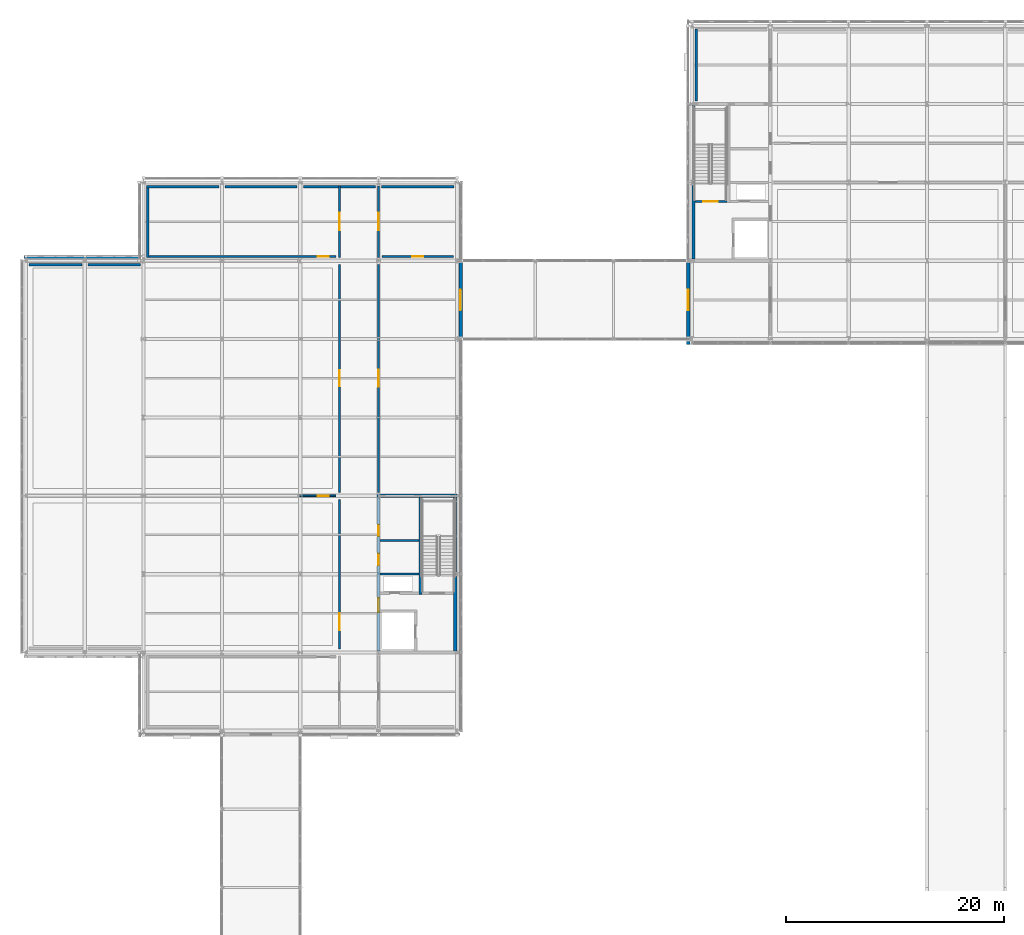
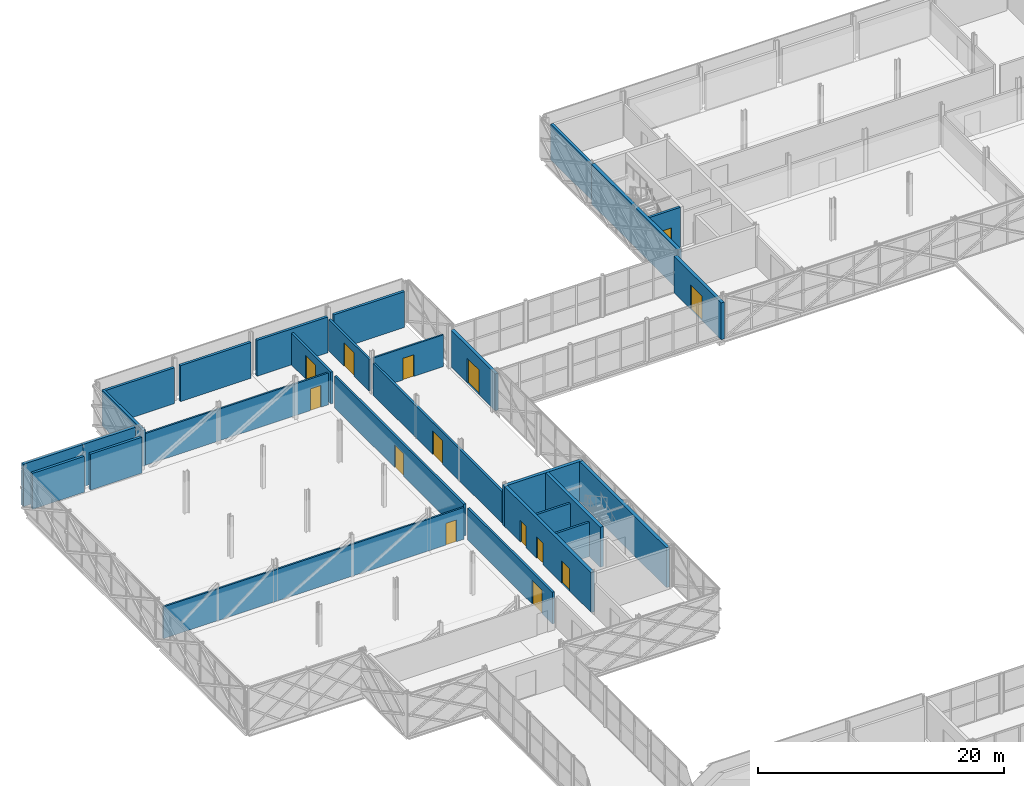
# One storey, part 105 of 126: 28 walls, 14 doors, 14 openings.
"""IFC4 building model written with IfcOpenShell, lengths in metres."""

from ifc_helpers import new_model, si_unit, direction, frame, frame_2d, origin, place, context, subcontext, project, spatial, rectangle, extrude, material, layer, layer_set, type_object, element, fill, save


model = new_model("IFC4")

# Units and contexts
model_context = context("Model", 3, precision=1e-05, world=origin(), true_north=direction((0.0, 1.0)))
body_context = subcontext(model_context, "Body", "Model", "MODEL_VIEW")
ifc_project = project(units=[si_unit("LENGTHUNIT", "METRE"), si_unit("AREAUNIT", "SQUARE_METRE"), si_unit("VOLUMEUNIT", "CUBIC_METRE"), si_unit("PLANEANGLEUNIT", "RADIAN"), si_unit("MASSUNIT", "GRAM", prefix="KILO")], contexts=[model_context])

# Site, building, storey
site_placement = place(None, origin())
site = spatial("IfcSite", under=ifc_project, at=site_placement, CompositionType="ELEMENT")
building_placement = place(site_placement, origin())
building = spatial("IfcBuilding", under=site, at=building_placement, Name="Zlatovets Crest Museum", CompositionType="ELEMENT")
storey_placement = place(building_placement, frame((0.0, 0.0, 8.699951171875)))
storey = spatial("IfcBuildingStorey", under=building, at=storey_placement, Name="L02", CompositionType="ELEMENT", Elevation=8.699951171875)

# Walls
ifc_material_1 = material(Name="Concrete C35/45", Category="concrete")
ifc_layer_1 = layer(ifc_material_1, 0.300048828125)
ifc_layer_set_1 = layer_set([ifc_layer_1], Name="Concrete C35/45")
wall_type_1 = type_object("IfcWallType", Name="CoreWall_SW01", PredefinedType="SHEAR", material=ifc_layer_set_1)
wall_1_placement = place(storey_placement, frame((57.75, 93.75, 0.0), z_axis=(0.0, 0.0, 1.0), x_axis=(0.0, 1.0, 0.0)))
element("IfcWall", 1, at=wall_1_placement, inside=storey, type_object=wall_type_1, Name="Core C1 L02 Perimeter Shear Wall", PredefinedType="SHEAR", context=body_context, shape_type="SweptSolid", body=[
    extrude(rectangle(XDim=14.10009765625, YDim=0.300048828125, at=frame_2d((7.050048828125, 0.0))), origin(), (0.0, 0.0, 1.0), 3.9599609375),
])
wall_2_placement = place(storey_placement, frame((28.64990234375, 72.0, 0.0), z_axis=(0.0, 0.0, 1.0), x_axis=(1.0, 0.0, 0.0)))
element("IfcWall", 2, at=wall_2_placement, inside=storey, type_object=wall_type_1, Name="Core C4 L02 North Shear Wall", PredefinedType="SHEAR", context=body_context, shape_type="SweptSolid", body=[
    extrude(rectangle(XDim=7.35009765625, YDim=0.300048828125, at=frame_2d((3.675048828125, 0.0))), origin(), (0.0, 0.0, 1.0), 3.9599609375),
])
wall_3_placement = place(storey_placement, frame((35.85009765625, 57.75, 0.0), z_axis=(0.0, 0.0, 1.0), x_axis=(0.0, 1.0, 0.0)))
element("IfcWall", 3, at=wall_3_placement, inside=storey, type_object=wall_type_1, Name="Core C4 L02 Perimeter Shear Wall", PredefinedType="SHEAR", context=body_context, shape_type="SweptSolid", body=[
    extrude(rectangle(XDim=14.10009765625, YDim=0.300048828125, at=frame_2d((7.050048828125, 0.0))), origin(), (0.0, 0.0, 1.0), 3.9599609375),
])

# Wall, openings, doors
wall_4_placement = place(storey_placement, frame((28.800048828125, 57.75, 0.0), z_axis=(0.0, 0.0, 1.0), x_axis=(0.0, 1.0, 0.0)))
wall_4 = element("IfcWall", 4, at=wall_4_placement, inside=storey, type_object=wall_type_1, Name="Core C4 L02 Spine Shear Wall", PredefinedType="SHEAR", context=body_context, shape_type="SweptSolid", body=[
    extrude(rectangle(XDim=14.10009765625, YDim=0.300048828125, at=frame_2d((7.050048828125, 0.0))), origin(), (0.0, 0.0, 1.0), 3.9599609375),
])
opening_1_placement = place(wall_4_placement, frame((3.550048828125, 0.0, 0.0)))
opening_1 = element("IfcOpeningElement", 5, at=opening_1_placement, cuts=wall_4, Name="Opening FD-01", PredefinedType="OPENING", context=body_context, shape_type="SweptSolid", body=[
    extrude(rectangle(XDim=1.300048828125, YDim=2.199951171875, at=frame_2d((0.64990234375, 1.10009765625))), frame((0.0, 0.16015625, 0.0), z_axis=(0.0, -1.0, 0.0), x_axis=(1.0, 0.0, 0.0)), (0.0, 0.0, 1.0), 0.320068359375),
])
opening_2_placement = place(wall_4_placement, frame((7.85009765625, 0.0, 0.0)))
opening_2 = element("IfcOpeningElement", 6, at=opening_2_placement, cuts=wall_4, Name="Opening ID-02", PredefinedType="OPENING", context=body_context, shape_type="SweptSolid", body=[
    extrude(rectangle(XDim=1.050048828125, YDim=2.14990234375, at=frame_2d((0.52490234375, 1.074951171875))), frame((0.0, 0.16015625, 0.0), z_axis=(0.0, -1.0, 0.0), x_axis=(1.0, 0.0, 0.0)), (0.0, 0.0, 1.0), 0.320068359375),
])
opening_3_placement = place(wall_4_placement, frame((10.550048828125, 0.0, 0.0)))
opening_3 = element("IfcOpeningElement", 7, at=opening_3_placement, cuts=wall_4, Name="Opening ID-01", PredefinedType="OPENING", context=body_context, shape_type="SweptSolid", body=[
    extrude(rectangle(XDim=1.0, YDim=2.14990234375, at=frame_2d((0.5, 1.074951171875))), frame((0.0, 0.16015625, 0.0), z_axis=(0.0, -1.0, 0.0), x_axis=(1.0, 0.0, 0.0)), (0.0, 0.0, 1.0), 0.320068359375),
])
ifc_material_2 = material(Name="Smoke-sealed steel fire door", Category="steel")
door_type_1 = type_object("IfcDoorType", Name="IntDoor_FD-01", OperationType="NOTDEFINED", PredefinedType="DOOR", material=ifc_material_2)
door_1_placement = place(opening_1_placement, origin())
door_1 = element("IfcDoor", 8, at=door_1_placement, inside=storey, type_object=door_type_1, Name="CDOOR-C4-L02-LOB Core C4 L02 Lobby Fire Door", OperationType="SINGLE_SWING_RIGHT", OverallHeight=2.199951171875, OverallWidth=1.300048828125, PredefinedType="DOOR", context=body_context, shape_type="SweptSolid", body=[
    extrude(rectangle(XDim=1.300048828125, YDim=2.199951171875, at=frame_2d((0.64990234375, 1.10009765625))), frame((0.0, 0.02490234375, 0.0), z_axis=(0.0, -1.0, 0.0), x_axis=(1.0, 0.0, 0.0)), (0.0, 0.0, 1.0), 0.050048828125),
])
fill(opening_1, door_1)
ifc_material_3 = material(Name="Solid oak museum room door")
door_type_2 = type_object("IfcDoorType", Name="IntDoor_ID-01", OperationType="NOTDEFINED", PredefinedType="DOOR", material=ifc_material_3)
door_2_placement = place(opening_3_placement, origin())
door_2 = element("IfcDoor", 9, at=door_2_placement, inside=storey, type_object=door_type_2, Name="CDOOR-C4-L02-WC Core C4 L02 Public Restroom Door", OperationType="SINGLE_SWING_RIGHT", OverallHeight=2.14990234375, OverallWidth=1.0, PredefinedType="DOOR", context=body_context, shape_type="SweptSolid", body=[
    extrude(rectangle(XDim=1.0, YDim=2.14990234375, at=frame_2d((0.5, 1.074951171875))), frame((0.0, 0.02490234375, 0.0), z_axis=(0.0, -1.0, 0.0), x_axis=(1.0, 0.0, 0.0)), (0.0, 0.0, 1.0), 0.050048828125),
])
fill(opening_3, door_2)
ifc_material_4 = material(Name="Accessible sanitary room door")
door_type_3 = type_object("IfcDoorType", Name="IntDoor_ID-02", OperationType="NOTDEFINED", PredefinedType="DOOR", material=ifc_material_4)
door_3_placement = place(opening_2_placement, origin())
door_3 = element("IfcDoor", 10, at=door_3_placement, inside=storey, type_object=door_type_3, Name="CDOOR-C4-L02-AWC Core C4 L02 Accessible WC Door", OperationType="SINGLE_SWING_LEFT", OverallHeight=2.14990234375, OverallWidth=1.050048828125, PredefinedType="DOOR", context=body_context, shape_type="SweptSolid", body=[
    extrude(rectangle(XDim=1.050048828125, YDim=2.14990234375, at=frame_2d((0.52490234375, 1.074951171875))), frame((0.0, 0.02490234375, 0.0), z_axis=(0.0, -1.0, 0.0), x_axis=(1.0, 0.0, 0.0)), (0.0, 0.0, 1.0), 0.050048828125),
])
fill(opening_2, door_3)

# Wall
wall_5_placement = place(storey_placement, frame((32.64990234375, 62.93994140625, 0.0), z_axis=(0.0, 0.0, 1.0), x_axis=(0.0, 1.0, 0.0)))
element("IfcWall", 11, at=wall_5_placement, inside=storey, type_object=wall_type_1, Name="Core C4 L02 Stair Divider Wall", PredefinedType="SHEAR", context=body_context, shape_type="SweptSolid", body=[
    extrude(rectangle(XDim=8.91015625, YDim=0.300048828125, at=frame_2d((4.455078125, 0.0))), origin(), (0.0, 0.0, 1.0), 3.9599609375),
])

# Wall, opening, door
ifc_layer_2 = layer(ifc_material_1, 0.25)
ifc_layer_set_2 = layer_set([ifc_layer_2], Name="Concrete C35/45")
wall_type_2 = type_object("IfcWallType", Name="CoreWall_SW02", PredefinedType="SHEAR", material=ifc_layer_set_2)
wall_6_placement = place(storey_placement, frame((57.89990234375, 99.050048828125, 0.0), z_axis=(0.0, 0.0, 1.0), x_axis=(1.0, 0.0, 0.0)))
wall_6 = element("IfcWall", 12, at=wall_6_placement, inside=storey, type_object=wall_type_2, Name="Core C1 L02 Stairwell Fire Wall", PredefinedType="SHEAR", context=body_context, shape_type="SweptSolid", body=[
    extrude(rectangle(XDim=2.900146484375, YDim=0.219970703125, at=frame_2d((1.4501953125, 0.0))), origin(), (0.0, 0.0, 1.0), 3.9599609375),
])
opening_4_placement = place(wall_6_placement, frame((0.75, 0.0, 0.0)))
opening_4 = element("IfcOpeningElement", 13, at=opening_4_placement, cuts=wall_6, Name="Opening FD-01", PredefinedType="OPENING", context=body_context, shape_type="SweptSolid", body=[
    extrude(rectangle(XDim=1.300048828125, YDim=2.199951171875, at=frame_2d((0.64990234375, 1.10009765625))), frame((0.0, 0.1201171875, 0.0), z_axis=(0.0, -1.0, 0.0), x_axis=(1.0, 0.0, 0.0)), (0.0, 0.0, 1.0), 0.239990234375),
])
door_4_placement = place(opening_4_placement, origin())
door_4 = element("IfcDoor", 14, at=door_4_placement, inside=storey, type_object=door_type_1, Name="SDOOR-ST1-L02 Stair ST1 L02 Fire Door", OperationType="SINGLE_SWING_LEFT", OverallHeight=2.199951171875, OverallWidth=1.300048828125, PredefinedType="DOOR", context=body_context, shape_type="SweptSolid", body=[
    extrude(rectangle(XDim=1.300048828125, YDim=2.199951171875, at=frame_2d((0.64990234375, 1.10009765625))), frame((0.0, 0.02490234375, 0.0), z_axis=(0.0, -1.0, 0.0), x_axis=(1.0, 0.0, 0.0)), (0.0, 0.0, 1.0), 0.050048828125),
])
fill(opening_4, door_4)

# Wall
ifc_material_5 = material(Name="Insulated gallery conservation liner wall", Category="concrete")
ifc_layer_3 = layer(ifc_material_5, 0.300048828125)
ifc_layer_set_3 = layer_set([ifc_layer_3], Name="Insulated gallery conservation liner wall")
wall_type_3 = type_object("IfcWallType", Name="ExtWall_EW-02", PredefinedType="STANDARD", material=ifc_layer_set_3)
wall_7_placement = place(storey_placement, frame((57.97998046875, 114.919921875, 0.0), z_axis=(0.0, 0.0, 1.0), x_axis=(0.0, -1.0, 0.0)))
element("IfcWall", 15, at=wall_7_placement, inside=storey, type_object=wall_type_3, Name="V1 L02 Interior Conservation Gallery Liner Wall", PredefinedType="STANDARD", context=body_context, shape_type="SweptSolid", body=[
    extrude(rectangle(XDim=6.639892578125, YDim=0.239990234375, at=frame_2d((3.31982421875, 0.0))), origin(), (0.0, 0.0, 1.0), 3.56005859375),
])

# Wall, opening, door
wall_8_placement = place(storey_placement, frame((57.260009765625, 93.60009765625, 0.0), z_axis=(0.0, 0.0, 1.0), x_axis=(0.0, -1.0, 0.0)))
wall_8 = element("IfcWall", 16, at=wall_8_placement, inside=storey, type_object=wall_type_3, Name="V1 L02 Bridge Portal Wall", PredefinedType="STANDARD", context=body_context, shape_type="SweptSolid", body=[
    extrude(rectangle(XDim=7.68017578125, YDim=0.300048828125, at=frame_2d((3.840087890625, 0.0))), origin(), (0.0, 0.0, 1.0), 3.650146484375),
])
opening_5_placement = place(wall_8_placement, frame((2.64990234375, 0.0, 0.0)))
opening_5 = element("IfcOpeningElement", 17, at=opening_5_placement, cuts=wall_8, Name="Opening ED-02", PredefinedType="OPENING", context=body_context, shape_type="SweptSolid", body=[
    extrude(rectangle(XDim=1.89990234375, YDim=2.449951171875, at=frame_2d((0.949951171875, 1.22509765625))), frame((0.0, 0.16015625, 0.0), z_axis=(0.0, -1.0, 0.0), x_axis=(1.0, 0.0, 0.0)), (0.0, 0.0, 1.0), 0.320068359375),
])
ifc_material_6 = material(Name="Bronze-clad insulated steel door", Category="steel")
door_type_4 = type_object("IfcDoorType", Name="ExtDoor_ED-02", OperationType="NOTDEFINED", PredefinedType="DOOR", material=ifc_material_6)
door_5_placement = place(opening_5_placement, origin())
door_5 = element("IfcDoor", 18, at=door_5_placement, inside=storey, type_object=door_type_4, Name="ED-V1-L02-BR008 V1 L02 Bridge Link Portal Door", OperationType="DOUBLE_DOOR_SINGLE_SWING", OverallHeight=2.449951171875, OverallWidth=1.89990234375, PredefinedType="DOOR", context=body_context, shape_type="SweptSolid", body=[
    extrude(rectangle(XDim=1.89990234375, YDim=2.449951171875, at=frame_2d((0.949951171875, 1.22509765625))), frame((0.0, 0.02490234375, 0.0), z_axis=(0.0, -1.0, 0.0), x_axis=(1.0, 0.0, 0.0)), (0.0, 0.0, 1.0), 0.050048828125),
])
fill(opening_5, door_5)

wall_9_placement = place(storey_placement, frame((36.340087890625, 86.39990234375, 0.0), z_axis=(0.0, 0.0, 1.0), x_axis=(0.0, 1.0, 0.0)))
wall_9 = element("IfcWall", 19, at=wall_9_placement, inside=storey, type_object=wall_type_3, Name="V4 L02 Bridge Portal Wall", PredefinedType="STANDARD", context=body_context, shape_type="SweptSolid", body=[
    extrude(rectangle(XDim=7.2001953125, YDim=0.300048828125, at=frame_2d((3.60009765625, 0.0))), origin(), (0.0, 0.0, 1.0), 3.650146484375),
])
opening_6_placement = place(wall_9_placement, frame((2.64990234375, 0.0, 0.0)))
opening_6 = element("IfcOpeningElement", 20, at=opening_6_placement, cuts=wall_9, Name="Opening ED-02", PredefinedType="OPENING", context=body_context, shape_type="SweptSolid", body=[
    extrude(rectangle(XDim=1.89990234375, YDim=2.449951171875, at=frame_2d((0.949951171875, 1.22509765625))), frame((0.0, 0.16015625, 0.0), z_axis=(0.0, -1.0, 0.0), x_axis=(1.0, 0.0, 0.0)), (0.0, 0.0, 1.0), 0.320068359375),
])
door_6_placement = place(opening_6_placement, origin())
door_6 = element("IfcDoor", 21, at=door_6_placement, inside=storey, type_object=door_type_4, Name="ED-V4-L02-BR040 V4 L02 Bridge Link Portal Door", OperationType="DOUBLE_DOOR_SINGLE_SWING", OverallHeight=2.449951171875, OverallWidth=1.89990234375, PredefinedType="DOOR", context=body_context, shape_type="SweptSolid", body=[
    extrude(rectangle(XDim=1.89990234375, YDim=2.449951171875, at=frame_2d((0.949951171875, 1.22509765625))), frame((0.0, 0.02490234375, 0.0), z_axis=(0.0, -1.0, 0.0), x_axis=(1.0, 0.0, 0.0)), (0.0, 0.0, 1.0), 0.050048828125),
])
fill(opening_6, door_6)

# Walls
for number, where, z_axis, x_axis, name in (
    (22, (14.1201171875, 100.419921875, 0.0), (0.0, 0.0, 1.0), (-1.0, 0.0, 0.0), "V4 L02 Interior Conservation Gallery Liner Wall"),
    (23, (21.320068359375, 100.419921875, 0.0), (0.0, 0.0, 1.0), (-1.0, 0.0, 0.0), "V4 L02 Interior Conservation Gallery Liner Wall"),
    (24, (28.52001953125, 100.419921875, 0.0), (0.0, 0.0, 1.0), (-1.0, 0.0, 0.0), "V4 L02 Interior Conservation Gallery Liner Wall"),
):
    element("IfcWall", number, at=place(storey_placement, frame(where, z_axis=z_axis, x_axis=x_axis)), inside=storey, type_object=wall_type_3, Name=name, PredefinedType="STANDARD", context=body_context, shape_type="SweptSolid", body=[
        extrude(rectangle(XDim=6.64013671875, YDim=0.239990234375, at=frame_2d((3.320068359375, 0.0))), origin(), (0.0, 0.0, 1.0), 3.56005859375),
    ])
wall_10_placement = place(storey_placement, frame((35.719970703125, 100.419921875, 0.0), z_axis=(0.0, 0.0, 1.0), x_axis=(-1.0, 0.0, 0.0)))
element("IfcWall", 25, at=wall_10_placement, inside=storey, type_object=wall_type_3, Name="V4 L02 Interior Conservation Gallery Liner Wall", PredefinedType="STANDARD", context=body_context, shape_type="SweptSolid", body=[
    extrude(rectangle(XDim=6.639892578125, YDim=0.239990234375, at=frame_2d((3.31982421875, 0.0))), origin(), (0.0, 0.0, 1.0), 3.56005859375),
])
wall_11_placement = place(storey_placement, frame((7.580078125, 100.52001953125, 0.0), z_axis=(0.0, 0.0, 1.0), x_axis=(0.0, -1.0, 0.0)))
element("IfcWall", 26, at=wall_11_placement, inside=storey, type_object=wall_type_3, Name="V4 L02 Interior Conservation Gallery Liner Wall", PredefinedType="STANDARD", context=body_context, shape_type="SweptSolid", body=[
    extrude(rectangle(XDim=6.64013671875, YDim=0.239990234375, at=frame_2d((3.320068359375, 0.0))), origin(), (0.0, 0.0, 1.0), 3.56005859375),
])
wall_12_placement = place(storey_placement, frame((6.919921875, 93.219970703125, 0.0), z_axis=(0.0, 0.0, 1.0), x_axis=(-1.0, 0.0, 0.0)))
element("IfcWall", 27, at=wall_12_placement, inside=storey, type_object=wall_type_3, Name="V4 L02 Interior Conservation Gallery Liner Wall", PredefinedType="STANDARD", context=body_context, shape_type="SweptSolid", body=[
    extrude(rectangle(XDim=4.83984375, YDim=0.239990234375, at=frame_2d((2.419921875, 0.0))), origin(), (0.0, 0.0, 1.0), 3.56005859375),
])
wall_13_placement = place(storey_placement, frame((1.52001953125, 93.219970703125, 0.0), z_axis=(0.0, 0.0, 1.0), x_axis=(-1.0, 0.0, 0.0)))
element("IfcWall", 28, at=wall_13_placement, inside=storey, type_object=wall_type_3, Name="V4 L02 Interior Conservation Gallery Liner Wall", PredefinedType="STANDARD", context=body_context, shape_type="SweptSolid", body=[
    extrude(rectangle(XDim=4.840087890625, YDim=0.239990234375, at=frame_2d((2.419921875, 0.0))), origin(), (0.0, 0.0, 1.0), 3.56005859375),
])
ifc_material_7 = material(Name="Polychrome majolica ceramic spandrel wall", Category="masonry")
ifc_layer_4 = layer(ifc_material_7, 0.280029296875)
ifc_layer_set_4 = layer_set([ifc_layer_4], Name="Polychrome majolica ceramic spandrel wall")
wall_type_4 = type_object("IfcWallType", Name="ExtWall_EW-03", PredefinedType="STANDARD", material=ifc_layer_set_4)
wall_14_placement = place(storey_placement, frame((6.719970703125, 93.93994140625, 0.0), z_axis=(0.0, 0.0, 1.0), x_axis=(-1.0, 0.0, 0.0)))
element("IfcWall", 29, at=wall_14_placement, inside=storey, type_object=wall_type_4, Name="V4 L02 Transfer Truss Majolica Spandrel Wall", PredefinedType="STANDARD", context=body_context, shape_type="SweptSolid", body=[
    extrude(rectangle(XDim=4.919921875, YDim=0.280029296875, at=frame_2d((2.4599609375, 0.0))), origin(), (0.0, 0.0, 1.0), 4.199951171875),
])
wall_15_placement = place(storey_placement, frame((1.800048828125, 93.93994140625, 0.0), z_axis=(0.0, 0.0, 1.0), x_axis=(-1.0, 0.0, 0.0)))
element("IfcWall", 30, at=wall_15_placement, inside=storey, type_object=wall_type_4, Name="V4 L02 Transfer Truss Majolica Spandrel Wall", PredefinedType="STANDARD", context=body_context, shape_type="SweptSolid", body=[
    extrude(rectangle(XDim=5.60009765625, YDim=0.280029296875, at=frame_2d((2.800048828125, 0.0))), origin(), (0.0, 0.0, 1.0), 4.199951171875),
])

# Wall, opening, door
ifc_material_8 = material(Name="Gypsum-encased fire compartment partition")
ifc_layer_5 = layer(ifc_material_8, 0.199951171875)
ifc_layer_set_5 = layer_set([ifc_layer_5], Name="Gypsum-encased fire compartment partition")
wall_type_5 = type_object("IfcWallType", Name="PartWall_PT-01", PredefinedType="PARTITIONING", material=ifc_layer_set_5)
wall_16_placement = place(storey_placement, frame((25.199951171875, 57.919921875, 0.0), z_axis=(0.0, 0.0, 1.0), x_axis=(0.0, 1.0, 0.0)))
wall_16 = element("IfcWall", 31, at=wall_16_placement, inside=storey, type_object=wall_type_5, Name="V4 L02 Interior Partition PT-01", PredefinedType="PARTITIONING", context=body_context, shape_type="SweptSolid", body=[
    extrude(rectangle(XDim=13.760009765625, YDim=0.199951171875, at=frame_2d((6.8798828125, 0.0))), origin(), (0.0, 0.0, 1.0), 3.150146484375),
])
opening_7_placement = place(wall_16_placement, frame((1.701904296875, 0.0, 0.0)))
opening_7 = element("IfcOpeningElement", 32, at=opening_7_placement, cuts=wall_16, Name="Opening ID-04", PredefinedType="OPENING", context=body_context, shape_type="SweptSolid", body=[
    extrude(rectangle(XDim=1.60009765625, YDim=2.35009765625, at=frame_2d((0.800048828125, 1.175048828125))), frame((0.0, 0.10986328125, 0.0), z_axis=(0.0, -1.0, 0.0), x_axis=(1.0, 0.0, 0.0)), (0.0, 0.0, 1.0), 0.219970703125),
])
ifc_material_9 = material(Name="Gallery salon double portal door")
door_type_5 = type_object("IfcDoorType", Name="IntDoor_ID-04", OperationType="DOUBLE_DOOR_SINGLE_SWING", PredefinedType="DOOR", material=ifc_material_9)
door_7_placement = place(opening_7_placement, origin())
door_7 = element("IfcDoor", 33, at=door_7_placement, inside=storey, type_object=door_type_5, Name="IDOOR-V4-L02-0167 West Wing Concourse L02 to Symbolist Painting South Cantilever Gallery Door", OperationType="DOUBLE_DOOR_SINGLE_SWING", OverallHeight=2.35009765625, OverallWidth=1.60009765625, PredefinedType="DOOR", context=body_context, shape_type="SweptSolid", body=[
    extrude(rectangle(XDim=1.60009765625, YDim=2.35009765625, at=frame_2d((0.800048828125, 1.175048828125))), frame((0.0, 0.02490234375, 0.0), z_axis=(0.0, -1.0, 0.0), x_axis=(1.0, 0.0, 0.0)), (0.0, 0.0, 1.0), 0.050048828125),
])
fill(opening_7, door_7)

wall_17_placement = place(storey_placement, frame((25.199951171875, 72.320068359375, 0.0), z_axis=(0.0, 0.0, 1.0), x_axis=(0.0, 1.0, 0.0)))
wall_17 = element("IfcWall", 34, at=wall_17_placement, inside=storey, type_object=wall_type_5, Name="V4 L02 Interior Partition PT-01", PredefinedType="PARTITIONING", context=body_context, shape_type="SweptSolid", body=[
    extrude(rectangle(XDim=20.9599609375, YDim=0.199951171875, at=frame_2d((10.47998046875, 0.0))), origin(), (0.0, 0.0, 1.0), 3.150146484375),
])
opening_8_placement = place(wall_17_placement, frame((9.72998046875, 0.0, 0.0)))
opening_8 = element("IfcOpeningElement", 35, at=opening_8_placement, cuts=wall_17, Name="Opening FD-02", PredefinedType="OPENING", context=body_context, shape_type="SweptSolid", body=[
    extrude(rectangle(XDim=1.5, YDim=2.25, at=frame_2d((0.75, 1.125))), frame((0.0, 0.10986328125, 0.0), z_axis=(0.0, -1.0, 0.0), x_axis=(1.0, 0.0, 0.0)), (0.0, 0.0, 1.0), 0.219970703125),
])
ifc_material_10 = material(Name="Double corridor compartment fire door")
door_type_6 = type_object("IfcDoorType", Name="IntDoor_FD-02", OperationType="DOUBLE_DOOR_SINGLE_SWING", PredefinedType="DOOR", material=ifc_material_10)
door_8_placement = place(opening_8_placement, origin())
door_8 = element("IfcDoor", 36, at=door_8_placement, inside=storey, type_object=door_type_6, Name="IDOOR-V4-L02-0168 West Wing Concourse L02 to Symbolist Painting North Cantilever Gallery Door", OperationType="DOUBLE_DOOR_SINGLE_SWING", OverallHeight=2.25, OverallWidth=1.5, PredefinedType="DOOR", context=body_context, shape_type="SweptSolid", body=[
    extrude(rectangle(XDim=1.5, YDim=2.25, at=frame_2d((0.75, 1.125))), frame((0.0, 0.02490234375, 0.0), z_axis=(0.0, -1.0, 0.0), x_axis=(1.0, 0.0, 0.0)), (0.0, 0.0, 1.0), 0.050048828125),
])
fill(opening_8, door_8)

wall_18_placement = place(storey_placement, frame((25.199951171875, 93.919921875, 0.0), z_axis=(0.0, 0.0, 1.0), x_axis=(0.0, 1.0, 0.0)))
wall_18 = element("IfcWall", 37, at=wall_18_placement, inside=storey, type_object=wall_type_5, Name="V4 L02 Interior Partition PT-01", PredefinedType="PARTITIONING", context=body_context, shape_type="SweptSolid", body=[
    extrude(rectangle(XDim=6.56005859375, YDim=0.199951171875, at=frame_2d((3.280029296875, 0.0))), origin(), (0.0, 0.0, 1.0), 3.150146484375),
])
opening_9_placement = place(wall_18_placement, frame((2.47998046875, 0.0, 0.0)))
opening_9 = element("IfcOpeningElement", 38, at=opening_9_placement, cuts=wall_18, Name="Opening ID-04", PredefinedType="OPENING", context=body_context, shape_type="SweptSolid", body=[
    extrude(rectangle(XDim=1.60009765625, YDim=2.35009765625, at=frame_2d((0.800048828125, 1.175048828125))), frame((0.0, 0.10986328125, 0.0), z_axis=(0.0, -1.0, 0.0), x_axis=(1.0, 0.0, 0.0)), (0.0, 0.0, 1.0), 0.219970703125),
])
door_9_placement = place(opening_9_placement, origin())
door_9 = element("IfcDoor", 39, at=door_9_placement, inside=storey, type_object=door_type_5, Name="IDOOR-V4-L02-0169 West Wing Concourse L02 to Costume and Lacework Salon Door", OperationType="DOUBLE_DOOR_SINGLE_SWING", OverallHeight=2.35009765625, OverallWidth=1.60009765625, PredefinedType="DOOR", context=body_context, shape_type="SweptSolid", body=[
    extrude(rectangle(XDim=1.60009765625, YDim=2.35009765625, at=frame_2d((0.800048828125, 1.175048828125))), frame((0.0, 0.02490234375, 0.0), z_axis=(0.0, -1.0, 0.0), x_axis=(1.0, 0.0, 0.0)), (0.0, 0.0, 1.0), 0.050048828125),
])
fill(opening_9, door_9)

wall_19_placement = place(storey_placement, frame((28.800048828125, 72.320068359375, 0.0), z_axis=(0.0, 0.0, 1.0), x_axis=(0.0, 1.0, 0.0)))
wall_19 = element("IfcWall", 40, at=wall_19_placement, inside=storey, type_object=wall_type_5, Name="V4 L02 Interior Partition PT-01", PredefinedType="PARTITIONING", context=body_context, shape_type="SweptSolid", body=[
    extrude(rectangle(XDim=20.9599609375, YDim=0.199951171875, at=frame_2d((10.47998046875, 0.0))), origin(), (0.0, 0.0, 1.0), 3.150146484375),
])
opening_10_placement = place(wall_19_placement, frame((9.679931640625, 0.0, 0.0)))
opening_10 = element("IfcOpeningElement", 41, at=opening_10_placement, cuts=wall_19, Name="Opening ID-04", PredefinedType="OPENING", context=body_context, shape_type="SweptSolid", body=[
    extrude(rectangle(XDim=1.60009765625, YDim=2.35009765625, at=frame_2d((0.800048828125, 1.175048828125))), frame((0.0, 0.10986328125, 0.0), z_axis=(0.0, -1.0, 0.0), x_axis=(1.0, 0.0, 0.0)), (0.0, 0.0, 1.0), 0.219970703125),
])
door_10_placement = place(opening_10_placement, origin())
door_10 = element("IfcDoor", 42, at=door_10_placement, inside=storey, type_object=door_type_5, Name="IDOOR-V4-L02-0170 West Wing Concourse L02 to Preventive Conservation Monitoring Room Door", OperationType="DOUBLE_DOOR_SINGLE_SWING", OverallHeight=2.35009765625, OverallWidth=1.60009765625, PredefinedType="DOOR", context=body_context, shape_type="SweptSolid", body=[
    extrude(rectangle(XDim=1.60009765625, YDim=2.35009765625, at=frame_2d((0.800048828125, 1.175048828125))), frame((0.0, 0.02490234375, 0.0), z_axis=(0.0, -1.0, 0.0), x_axis=(1.0, 0.0, 0.0)), (0.0, 0.0, 1.0), 0.050048828125),
])
fill(opening_10, door_10)

wall_20_placement = place(storey_placement, frame((28.800048828125, 93.919921875, 0.0), z_axis=(0.0, 0.0, 1.0), x_axis=(0.0, 1.0, 0.0)))
wall_20 = element("IfcWall", 43, at=wall_20_placement, inside=storey, type_object=wall_type_5, Name="V4 L02 Interior Partition PT-01", PredefinedType="PARTITIONING", context=body_context, shape_type="SweptSolid", body=[
    extrude(rectangle(XDim=6.56005859375, YDim=0.199951171875, at=frame_2d((3.280029296875, 0.0))), origin(), (0.0, 0.0, 1.0), 3.150146484375),
])
opening_11_placement = place(wall_20_placement, frame((2.47998046875, 0.0, 0.0)))
opening_11 = element("IfcOpeningElement", 44, at=opening_11_placement, cuts=wall_20, Name="Opening ID-04", PredefinedType="OPENING", context=body_context, shape_type="SweptSolid", body=[
    extrude(rectangle(XDim=1.60009765625, YDim=2.35009765625, at=frame_2d((0.800048828125, 1.175048828125))), frame((0.0, 0.10986328125, 0.0), z_axis=(0.0, -1.0, 0.0), x_axis=(1.0, 0.0, 0.0)), (0.0, 0.0, 1.0), 0.219970703125),
])
door_11_placement = place(opening_11_placement, origin())
door_11 = element("IfcDoor", 45, at=door_11_placement, inside=storey, type_object=door_type_5, Name="IDOOR-V4-L02-0172 West Wing Concourse L02 to North Crest Bridge Foyer L02 Door", OperationType="DOUBLE_DOOR_SINGLE_SWING", OverallHeight=2.35009765625, OverallWidth=1.60009765625, PredefinedType="DOOR", context=body_context, shape_type="SweptSolid", body=[
    extrude(rectangle(XDim=1.60009765625, YDim=2.35009765625, at=frame_2d((0.800048828125, 1.175048828125))), frame((0.0, 0.02490234375, 0.0), z_axis=(0.0, -1.0, 0.0), x_axis=(1.0, 0.0, 0.0)), (0.0, 0.0, 1.0), 0.050048828125),
])
fill(opening_11, door_11)

ifc_material_11 = material(Name="Acoustic museum gallery stud partition")
ifc_layer_6 = layer(ifc_material_11, 0.159912109375)
ifc_layer_set_6 = layer_set([ifc_layer_6], Name="Acoustic museum gallery stud partition")
wall_type_6 = type_object("IfcWallType", Name="PartWall_PT-02", PredefinedType="PARTITIONING", material=ifc_layer_set_6)
wall_21_placement = place(storey_placement, frame((-3.280029296875, 72.0, 0.0), z_axis=(0.0, 0.0, 1.0), x_axis=(1.0, 0.0, 0.0)))
wall_21 = element("IfcWall", 46, at=wall_21_placement, inside=storey, type_object=wall_type_6, Name="V4 L02 Interior Partition PT-02", PredefinedType="PARTITIONING", context=body_context, shape_type="SweptSolid", body=[
    extrude(rectangle(XDim=28.159912109375, YDim=0.159912109375, at=frame_2d((14.080078125, 0.0))), origin(), (0.0, 0.0, 1.0), 3.150146484375),
])
opening_12_placement = place(wall_21_placement, frame((26.47998046875, 0.0, 0.0)))
opening_12 = element("IfcOpeningElement", 47, at=opening_12_placement, cuts=wall_21, Name="Opening ID-01", PredefinedType="OPENING", context=body_context, shape_type="SweptSolid", body=[
    extrude(rectangle(XDim=1.0, YDim=2.14990234375, at=frame_2d((0.5, 1.074951171875))), frame((0.0, 0.08984375, 0.0), z_axis=(0.0, -1.0, 0.0), x_axis=(1.0, 0.0, 0.0)), (0.0, 0.0, 1.0), 0.179931640625),
])
door_12_placement = place(opening_12_placement, origin())
door_12 = element("IfcDoor", 48, at=door_12_placement, inside=storey, type_object=door_type_2, Name="IDOOR-V4-L02-0174 Symbolist Painting South Cantilever Gallery to Symbolist Painting North Cantilever Gallery Door", OperationType="SINGLE_SWING_LEFT", OverallHeight=2.14990234375, OverallWidth=1.0, PredefinedType="DOOR", context=body_context, shape_type="SweptSolid", body=[
    extrude(rectangle(XDim=1.0, YDim=2.14990234375, at=frame_2d((0.5, 1.074951171875))), frame((0.0, 0.02490234375, 0.0), z_axis=(0.0, -1.0, 0.0), x_axis=(1.0, 0.0, 0.0)), (0.0, 0.0, 1.0), 0.050048828125),
])
fill(opening_12, door_12)

wall_22_placement = place(storey_placement, frame((7.52001953125, 94.0, 0.0), z_axis=(0.0, 0.0, 1.0), x_axis=(1.0, 0.0, 0.0)))
wall_22 = element("IfcWall", 49, at=wall_22_placement, inside=storey, type_object=wall_type_6, Name="V4 L02 Interior Partition PT-02", PredefinedType="PARTITIONING", context=body_context, shape_type="SweptSolid", body=[
    extrude(rectangle(XDim=17.35986328125, YDim=0.159912109375, at=frame_2d((8.679931640625, 0.0))), origin(), (0.0, 0.0, 1.0), 3.150146484375),
])
opening_13_placement = place(wall_22_placement, frame((15.679931640625, 0.0, 0.0)))
opening_13 = element("IfcOpeningElement", 50, at=opening_13_placement, cuts=wall_22, Name="Opening ID-01", PredefinedType="OPENING", context=body_context, shape_type="SweptSolid", body=[
    extrude(rectangle(XDim=1.0, YDim=2.14990234375, at=frame_2d((0.5, 1.074951171875))), frame((0.0, 0.08984375, 0.0), z_axis=(0.0, -1.0, 0.0), x_axis=(1.0, 0.0, 0.0)), (0.0, 0.0, 1.0), 0.179931640625),
])
door_13_placement = place(opening_13_placement, origin())
door_13 = element("IfcDoor", 51, at=door_13_placement, inside=storey, type_object=door_type_2, Name="IDOOR-V4-L02-0175 Symbolist Painting North Cantilever Gallery to Costume and Lacework Salon Door", OperationType="SINGLE_SWING_RIGHT", OverallHeight=2.14990234375, OverallWidth=1.0, PredefinedType="DOOR", context=body_context, shape_type="SweptSolid", body=[
    extrude(rectangle(XDim=1.0, YDim=2.14990234375, at=frame_2d((0.5, 1.074951171875))), frame((0.0, 0.02490234375, 0.0), z_axis=(0.0, -1.0, 0.0), x_axis=(1.0, 0.0, 0.0)), (0.0, 0.0, 1.0), 0.050048828125),
])
fill(opening_13, door_13)

wall_23_placement = place(storey_placement, frame((29.1201171875, 94.0, 0.0), z_axis=(0.0, 0.0, 1.0), x_axis=(1.0, 0.0, 0.0)))
wall_23 = element("IfcWall", 52, at=wall_23_placement, inside=storey, type_object=wall_type_6, Name="V4 L02 Interior Partition PT-02", PredefinedType="PARTITIONING", context=body_context, shape_type="SweptSolid", body=[
    extrude(rectangle(XDim=6.559814453125, YDim=0.159912109375, at=frame_2d((3.27978515625, 0.0))), origin(), (0.0, 0.0, 1.0), 3.150146484375),
])
opening_14_placement = place(wall_23_placement, frame((2.780029296875, 0.0, 0.0)))
opening_14 = element("IfcOpeningElement", 53, at=opening_14_placement, cuts=wall_23, Name="Opening ID-01", PredefinedType="OPENING", context=body_context, shape_type="SweptSolid", body=[
    extrude(rectangle(XDim=1.0, YDim=2.14990234375, at=frame_2d((0.5, 1.074951171875))), frame((0.0, 0.08984375, 0.0), z_axis=(0.0, -1.0, 0.0), x_axis=(1.0, 0.0, 0.0)), (0.0, 0.0, 1.0), 0.179931640625),
])
door_14_placement = place(opening_14_placement, origin())
door_14 = element("IfcDoor", 54, at=door_14_placement, inside=storey, type_object=door_type_2, Name="IDOOR-V4-L02-0176 Preventive Conservation Monitoring Room to North Crest Bridge Foyer L02 Door", OperationType="SINGLE_SWING_LEFT", OverallHeight=2.14990234375, OverallWidth=1.0, PredefinedType="DOOR", context=body_context, shape_type="SweptSolid", body=[
    extrude(rectangle(XDim=1.0, YDim=2.14990234375, at=frame_2d((0.5, 1.074951171875))), frame((0.0, 0.02490234375, 0.0), z_axis=(0.0, -1.0, 0.0), x_axis=(1.0, 0.0, 0.0)), (0.0, 0.0, 1.0), 0.050048828125),
])
fill(opening_14, door_14)

# Walls
ifc_material_12 = material(Name="Sanitary core acoustic service wall")
ifc_layer_7 = layer(ifc_material_12, 0.219970703125)
ifc_layer_set_7 = layer_set([ifc_layer_7], Name="Sanitary core acoustic service wall")
wall_type_7 = type_object("IfcWallType", Name="PartWall_PT-04", PredefinedType="PLUMBINGWALL", material=ifc_layer_set_7)
for number, where, z_axis, x_axis, name in (
    (55, (28.949951171875, 64.800048828125, 0.0), (0.0, 0.0, 1.0), (1.0, 0.0, 0.0), "Core C4 L02 Sanitary Divider"),
    (56, (28.949951171875, 67.89990234375, 0.0), (0.0, 0.0, 1.0), (1.0, 0.0, 0.0), "Core C4 L02 Sanitary Divider"),
):
    element("IfcWall", number, at=place(storey_placement, frame(where, z_axis=z_axis, x_axis=x_axis)), inside=storey, type_object=wall_type_7, Name=name, PredefinedType="PLUMBINGWALL", context=body_context, shape_type="SweptSolid", body=[
        extrude(rectangle(XDim=3.550048828125, YDim=0.199951171875, at=frame_2d((1.77490234375, 0.0))), origin(), (0.0, 0.0, 1.0), 3.380126953125),
    ])

save(model, "model.ifc")
